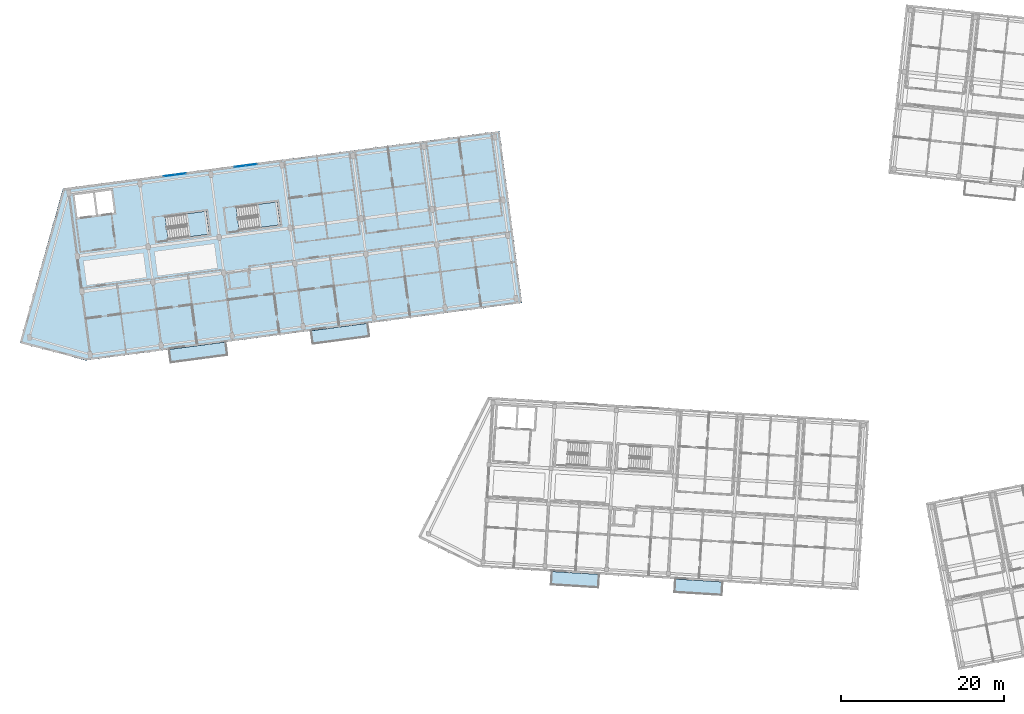
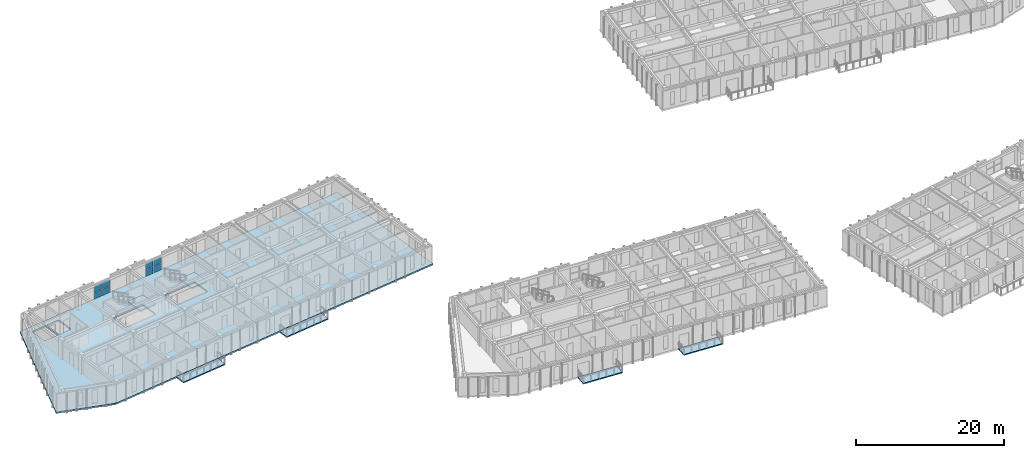
# One storey, part 17 of 68: 8 plates, 7 slabs, 4 elements without a shape of their own.
"""IFC4 building model written with IfcOpenShell, lengths in metres."""

from ifc_helpers import new_model, si_unit, direction, frame, origin, origin_2d, place, context, subcontext, project, spatial, polyline, rectangle, outline, extrude, material, layer, layer_set, type_object, element, aggregate, save


model = new_model("IFC4")

# Units and contexts
model_context = context("Model", 3, precision=1e-05, world=origin(), true_north=direction((0.0, 1.0)))
body_context = subcontext(model_context, "Body", "Model", "MODEL_VIEW")
ifc_project = project(units=[si_unit("LENGTHUNIT", "METRE"), si_unit("AREAUNIT", "SQUARE_METRE"), si_unit("VOLUMEUNIT", "CUBIC_METRE"), si_unit("PLANEANGLEUNIT", "RADIAN"), si_unit("MASSUNIT", "GRAM", prefix="KILO")], contexts=[model_context])

# Site, building, storey
site_placement = place(None, origin())
site = spatial("IfcSite", under=ifc_project, at=site_placement, CompositionType="ELEMENT")
building_placement = place(site_placement, origin())
building = spatial("IfcBuilding", under=site, at=building_placement, Name="Kestramere Prow Commons", CompositionType="ELEMENT")
storey_placement = place(building_placement, frame((0.0, 0.0, 18.14990234375)))
storey = spatial("IfcBuildingStorey", under=building, at=storey_placement, Name="L05", CompositionType="ELEMENT", Elevation=18.14990234375)

# Curtain wall, plates
ifc_material_1 = material(Name="Anodised Aluminium and Low-E Glass", Category="aluminium")
curtain_wall_type = type_object("IfcCurtainWallType", Name="CW-03 Glazed Curtain Wall 2830x2320", PredefinedType="USERDEFINED", material=ifc_material_1)
curtain_wall_1_placement = place(storey_placement, origin())
curtain_wall_1 = element("IfcCurtainWall", 1, at=curtain_wall_1_placement, inside=storey, type_object=curtain_wall_type, Name="Block A L05 Stairwell Vertical Glazing 2", ObjectType="GLAZED CURTAIN WALL", PredefinedType="USERDEFINED")
ifc_material_2 = material(Name="Low-E Laminated Double Glazing", Category="glass")
ifc_layer_1 = layer(ifc_material_2, 0.028076171875)
ifc_layer_set_1 = layer_set([ifc_layer_1], Name="Low-E Laminated Double Glazing")
plate_type = type_object("IfcPlateType", Name="CW-PNL-28", PredefinedType="CURTAIN_PANEL", material=ifc_layer_set_1)
plate_1_placement = place(storey_placement, frame((20.922607421875, 93.982177734375, 0.065185546875), z_axis=(0.0, 0.0, 1.0), x_axis=(0.991444867297, 0.13052614723, 0.0)))
plate_1 = element("IfcPlate", 2, at=plate_1_placement, type_object=plate_type, Name="CW-03 panel 1.1", PredefinedType="CURTAIN_PANEL", context=body_context, shape_type="SweptSolid", body=[
    extrude(rectangle(XDim=1.3173828125, YDim=0.028076171875, at=origin_2d()), origin(), (0.0, 0.0, 1.0), 1.0625),
])
plate_2_placement = place(storey_placement, frame((20.922607421875, 93.982177734375, 1.192626953125), z_axis=(0.0, 0.0, 1.0), x_axis=(0.991444867297, 0.13052614723, 0.0)))
plate_2 = element("IfcPlate", 3, at=plate_2_placement, type_object=plate_type, Name="CW-03 panel 1.2", PredefinedType="CURTAIN_PANEL", context=body_context, shape_type="SweptSolid", body=[
    extrude(rectangle(XDim=1.3173828125, YDim=0.028076171875, at=origin_2d()), origin(), (0.0, 0.0, 1.0), 1.0625),
])
plate_3_placement = place(storey_placement, frame((22.29345703125, 94.16259765625, 0.065185546875), z_axis=(0.0, 0.0, 1.0), x_axis=(0.991444867297, 0.13052614723, 0.0)))
plate_3 = element("IfcPlate", 4, at=plate_3_placement, type_object=plate_type, Name="CW-03 panel 2.1", PredefinedType="CURTAIN_PANEL", context=body_context, shape_type="SweptSolid", body=[
    extrude(rectangle(XDim=1.3173828125, YDim=0.028076171875, at=origin_2d()), origin(), (0.0, 0.0, 1.0), 1.0625),
])
plate_4_placement = place(storey_placement, frame((22.29345703125, 94.16259765625, 1.192626953125), z_axis=(0.0, 0.0, 1.0), x_axis=(0.991444867297, 0.13052614723, 0.0)))
plate_4 = element("IfcPlate", 5, at=plate_4_placement, type_object=plate_type, Name="CW-03 panel 2.2", PredefinedType="CURTAIN_PANEL", context=body_context, shape_type="SweptSolid", body=[
    extrude(rectangle(XDim=1.3173828125, YDim=0.028076171875, at=origin_2d()), origin(), (0.0, 0.0, 1.0), 1.0625),
])
aggregate(curtain_wall_1, [plate_1, plate_2, plate_3, plate_4])

curtain_wall_2_placement = place(storey_placement, origin())
curtain_wall_2 = element("IfcCurtainWall", 6, at=curtain_wall_2_placement, inside=storey, type_object=curtain_wall_type, Name="Block A L05 Stairwell Vertical Glazing 3", ObjectType="GLAZED CURTAIN WALL", PredefinedType="USERDEFINED")
plate_5_placement = place(storey_placement, frame((29.6474609375, 95.130859375, 0.065185546875), z_axis=(0.0, 0.0, 1.0), x_axis=(0.991444821571, 0.130526494555, 0.0)))
plate_5 = element("IfcPlate", 7, at=plate_5_placement, type_object=plate_type, Name="CW-03 panel 1.1", PredefinedType="CURTAIN_PANEL", context=body_context, shape_type="SweptSolid", body=[
    extrude(rectangle(XDim=1.3173828125, YDim=0.028076171875, at=origin_2d()), origin(), (0.0, 0.0, 1.0), 1.0625),
])
plate_6_placement = place(storey_placement, frame((29.6474609375, 95.130859375, 1.192626953125), z_axis=(0.0, 0.0, 1.0), x_axis=(0.991444821571, 0.130526494555, 0.0)))
plate_6 = element("IfcPlate", 8, at=plate_6_placement, type_object=plate_type, Name="CW-03 panel 1.2", PredefinedType="CURTAIN_PANEL", context=body_context, shape_type="SweptSolid", body=[
    extrude(rectangle(XDim=1.3173828125, YDim=0.028076171875, at=origin_2d()), origin(), (0.0, 0.0, 1.0), 1.0625),
])
plate_7_placement = place(storey_placement, frame((31.01806640625, 95.311279296875, 0.065185546875), z_axis=(0.0, 0.0, 1.0), x_axis=(0.991444821571, 0.130526494555, 0.0)))
plate_7 = element("IfcPlate", 9, at=plate_7_placement, type_object=plate_type, Name="CW-03 panel 2.1", PredefinedType="CURTAIN_PANEL", context=body_context, shape_type="SweptSolid", body=[
    extrude(rectangle(XDim=1.3173828125, YDim=0.028076171875, at=origin_2d()), origin(), (0.0, 0.0, 1.0), 1.0625),
])
plate_8_placement = place(storey_placement, frame((31.01806640625, 95.311279296875, 1.192626953125), z_axis=(0.0, 0.0, 1.0), x_axis=(0.991444821571, 0.130526494555, 0.0)))
plate_8 = element("IfcPlate", 10, at=plate_8_placement, type_object=plate_type, Name="CW-03 panel 2.2", PredefinedType="CURTAIN_PANEL", context=body_context, shape_type="SweptSolid", body=[
    extrude(rectangle(XDim=1.3173828125, YDim=0.028076171875, at=origin_2d()), origin(), (0.0, 0.0, 1.0), 1.0625),
])
aggregate(curtain_wall_2, [plate_5, plate_6, plate_7, plate_8])

# Slabs
ifc_material_3 = material(Name="Precast concrete C40/50", Category="concrete")
ifc_layer_2 = layer(ifc_material_3, 0.179931640625)
ifc_layer_set_2 = layer_set([ifc_layer_2], Name="Precast concrete C40/50")
slab_type_1 = type_object("IfcSlabType", Name="SL-BALC-180", PredefinedType="FLOOR", material=ifc_layer_set_2)
slab_1_placement = place(storey_placement, frame((0.0, 0.0, -0.179931640625)))
element("IfcSlab", 11, at=slab_1_placement, inside=storey, type_object=slab_type_1, Name="Block A L05 Apartment Balcony Slab 2", PredefinedType="FLOOR", context=body_context, shape_type="SweptSolid", body=[
    extrude(outline(polyline([(21.067626953125, 70.979248046875), (28.10693359375, 71.906005859375), (27.8916015625, 73.5419921875), (20.852294921875, 72.615234375), (21.067626953125, 70.979248046875)])), origin(), (0.0, 0.0, 1.0), 0.179931640625),
])
slab_2_placement = place(storey_placement, frame((0.0, 0.0, -0.179931640625)))
element("IfcSlab", 12, at=slab_2_placement, inside=storey, type_object=slab_type_1, Name="Block A L05 Apartment Balcony Slab 4", PredefinedType="FLOOR", context=body_context, shape_type="SweptSolid", body=[
    extrude(outline(polyline([(38.51708984375, 73.276611328125), (45.556396484375, 74.203369140625), (45.341064453125, 75.839111328125), (38.3017578125, 74.912353515625), (38.51708984375, 73.276611328125)])), origin(), (0.0, 0.0, 1.0), 0.179931640625),
])
slab_3_placement = place(storey_placement, frame((0.0, 0.0, -0.179931640625)))
element("IfcSlab", 13, at=slab_3_placement, inside=storey, type_object=slab_type_1, Name="Block C L05 Apartment Balcony Slab 2", PredefinedType="FLOOR", context=body_context, shape_type="SweptSolid", body=[
    extrude(outline(polyline([(67.7939453125, 43.6884765625), (73.682861328125, 43.328125), (73.783447265625, 44.97509765625), (67.89453125, 45.33544921875), (67.7939453125, 43.6884765625)])), origin(), (0.0, 0.0, 1.0), 0.179931640625),
])
slab_4_placement = place(storey_placement, frame((0.0, 0.0, -0.179931640625)))
element("IfcSlab", 14, at=slab_4_placement, inside=storey, type_object=slab_type_1, Name="Block C L05 Apartment Balcony Slab 4", PredefinedType="FLOOR", context=body_context, shape_type="SweptSolid", body=[
    extrude(outline(polyline([(82.965576171875, 42.760498046875), (88.8544921875, 42.400390625), (88.955322265625, 44.047119140625), (83.066162109375, 44.407470703125), (82.965576171875, 42.760498046875)])), origin(), (0.0, 0.0, 1.0), 0.179931640625),
])
ifc_layer_3 = layer(ifc_material_3, 0.25)
ifc_layer_set_3 = layer_set([ifc_layer_3], Name="Precast concrete C40/50")
slab_type_2 = type_object("IfcSlabType", Name="SL-HC-250", PredefinedType="FLOOR", material=ifc_layer_set_3)
slab_5_placement = place(storey_placement, frame((0.0, 0.0, -0.25)))
element("IfcSlab", 15, at=slab_5_placement, inside=storey, type_object=slab_type_2, Name="Block A L05 Hollowcore Floor Slab", PredefinedType="FLOOR", context=body_context, shape_type="SweptSolid", body=[
    extrude(outline(polyline([(2.58203125, 73.48779296875), (10.640380859375, 71.270751953125), (64.277587890625, 78.332275390625), (61.497314453125, 99.449951171875), (7.860107421875, 92.388427734375), (2.58203125, 73.48779296875)]), holes=[polyline([(9.638427734375, 88.84033203125), (11.9189453125, 89.140380859375), (11.559814453125, 91.866943359375), (9.279541015625, 91.566650390625), (9.638427734375, 88.84033203125)]), polyline([(12.166748046875, 89.173095703125), (14.149658203125, 89.43408203125), (13.790771484375, 92.16064453125), (11.807861328125, 91.899658203125), (12.166748046875, 89.173095703125)]), polyline([(20.78857421875, 86.122314453125), (25.844970703125, 86.7880859375), (25.47314453125, 89.61376953125), (20.416748046875, 88.947998046875), (20.78857421875, 86.122314453125)]), polyline([(29.513427734375, 87.27099609375), (34.56982421875, 87.936767578125), (34.19775390625, 90.76220703125), (29.141357421875, 90.0966796875), (29.513427734375, 87.27099609375)])]), origin(), (0.0, 0.0, 1.0), 0.25),
])

# Stair, slab
ifc_material_4 = material(Name="Concrete C40/50", Category="concrete")
stair_type = type_object("IfcStairType", Name="ST-DOG-1350", PredefinedType="HALF_TURN_STAIR", material=ifc_material_4)
stair_1_placement = place(storey_placement, origin())
stair_1 = element("IfcStair", 16, at=stair_1_placement, inside=storey, type_object=stair_type, Name="L05 Block A Exit Stair 1", PredefinedType="HALF_TURN_STAIR")
ifc_layer_4 = layer(ifc_material_4, 0.199951171875)
ifc_layer_set_4 = layer_set([ifc_layer_4], Name="Concrete C40/50")
slab_type_3 = type_object("IfcSlabType", Name="SL-ST-LAND-200", PredefinedType="LANDING", material=ifc_layer_set_4)
slab_6_placement = place(storey_placement, frame((0.0, 0.0, 1.425048828125)))
slab_6 = element("IfcSlab", 17, at=slab_6_placement, type_object=slab_type_3, Name="ST-A1 landing 1", PredefinedType="LANDING", context=body_context, shape_type="SweptSolid", body=[
    extrude(outline(polyline([(23.287109375, 86.451416015625), (25.844970703125, 86.7880859375), (25.47314453125, 89.61376953125), (22.9150390625, 89.27685546875), (23.287109375, 86.451416015625)])), origin(), (0.0, 0.0, 1.0), 0.199951171875),
])
aggregate(stair_1, [slab_6])

stair_2_placement = place(storey_placement, origin())
stair_2 = element("IfcStair", 18, at=stair_2_placement, inside=storey, type_object=stair_type, Name="L05 Block A Exit Stair 2", PredefinedType="HALF_TURN_STAIR")
slab_7_placement = place(storey_placement, frame((0.0, 0.0, 1.425048828125)))
slab_7 = element("IfcSlab", 19, at=slab_7_placement, type_object=slab_type_3, Name="ST-A2 landing 1", PredefinedType="LANDING", context=body_context, shape_type="SweptSolid", body=[
    extrude(outline(polyline([(32.011962890625, 87.599853515625), (34.56982421875, 87.936767578125), (34.19775390625, 90.76220703125), (31.639892578125, 90.425537109375), (32.011962890625, 87.599853515625)])), origin(), (0.0, 0.0, 1.0), 0.199951171875),
])
aggregate(stair_2, [slab_7])

save(model, "model.ifc")
